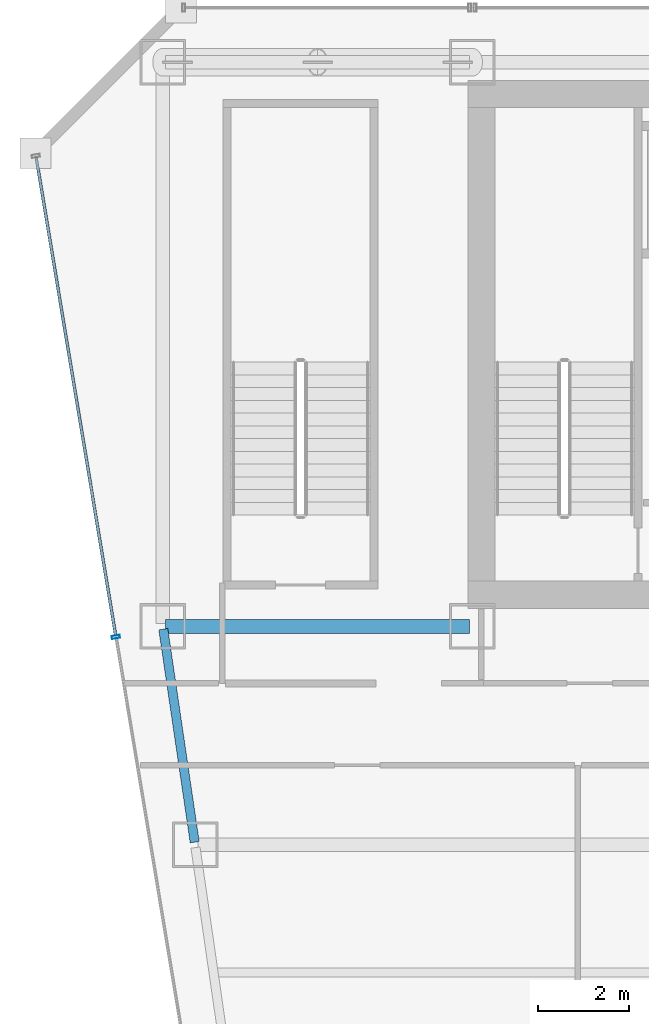
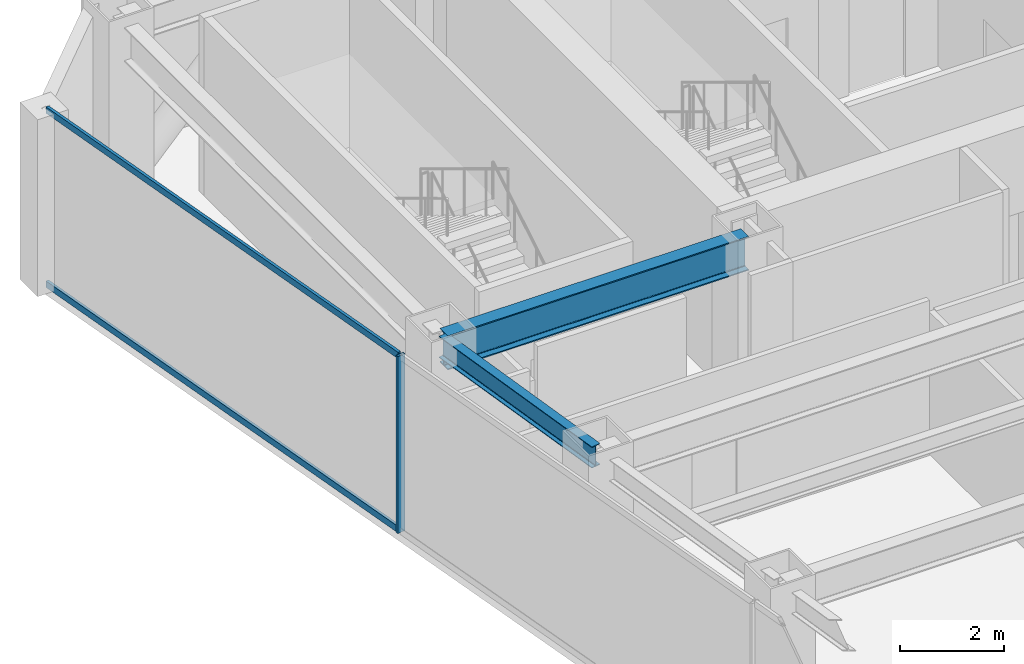
# One storey, part 20 of 37: 3 members, 2 beams, 1 element without a shape of its own.
"""IFC4 building model written with IfcOpenShell, lengths in metres."""

from ifc_helpers import new_model, si_unit, direction, frame, origin, origin_2d, place, context, subcontext, project, spatial, hollow_rectangle, i_section, extrude, material, material_profile, profile_set, type_object, element, aggregate, save


model = new_model("IFC4")

# Units and contexts
model_context = context("Model", 3, precision=1e-05, world=origin(), true_north=direction((0.0, 1.0)))
body_context = subcontext(model_context, "Body", "Model", "MODEL_VIEW")
ifc_project = project(units=[si_unit("LENGTHUNIT", "METRE"), si_unit("AREAUNIT", "SQUARE_METRE"), si_unit("VOLUMEUNIT", "CUBIC_METRE"), si_unit("PLANEANGLEUNIT", "RADIAN"), si_unit("MASSUNIT", "GRAM", prefix="KILO")], contexts=[model_context])

# Site, building, storey
site_placement = place(None, origin())
site = spatial("IfcSite", under=ifc_project, at=site_placement, CompositionType="ELEMENT")
building_placement = place(site_placement, origin())
building = spatial("IfcBuilding", under=site, at=building_placement, Name="Saevonmaru Cultural Tower", CompositionType="ELEMENT")
storey_placement = place(building_placement, frame((0.0, 0.0, 106.0)))
storey = spatial("IfcBuildingStorey", under=building, at=storey_placement, Name="L22", CompositionType="ELEMENT", Elevation=106.0)

# Beams
ifc_material_1 = material(Name="Steel SM420", Category="steel")
ifc_material_profile_1 = material_profile(ifc_material_1, i_section(OverallWidth=0.300048828125, OverallDepth=0.800048828125, WebThickness=0.013916015625, FlangeThickness=0.02587890625, FilletRadius=0.028076171875, at=origin_2d()), Name="H-800x300x14x26")
ifc_profile_set_1 = profile_set([ifc_material_profile_1], Name="Steel SM420")
beam_type_1 = type_object("IfcBeamType", Name="BM-G-H800", PredefinedType="BEAM", material=ifc_profile_set_1)
beam_1_placement = place(storey_placement, frame((6.860107421875, 42.39990234375, 3.75), z_axis=(1.0, 0.0, 0.0), x_axis=(0.0, 1.0, 0.0)))
element("IfcBeam", 1, at=beam_1_placement, inside=storey, type_object=beam_type_1, Name="L22 Core South Girder 1", PredefinedType="BEAM", context=body_context, shape_type="SweptSolid", body=[
    extrude(i_section(OverallWidth=0.300048828125, OverallDepth=0.800048828125, WebThickness=0.013916015625, FlangeThickness=0.02587890625, FilletRadius=0.028076171875, at=origin_2d()), origin(), (0.0, 0.0, 1.0), 6.679931640625),
])
ifc_material_2 = material(Name="Steel SM355", Category="steel")
ifc_material_profile_2 = material_profile(ifc_material_2, i_section(OverallWidth=0.199951171875, OverallDepth=0.5, WebThickness=0.010009765625, FlangeThickness=0.01611328125, FilletRadius=0.02001953125, at=origin_2d()), Name="H-500x200x10x16")
ifc_profile_set_2 = profile_set([ifc_material_profile_2], Name="Steel SM355")
beam_type_2 = type_object("IfcBeamType", Name="BM-SP-H500", PredefinedType="SPANDREL", material=ifc_profile_set_2)
beam_2_placement = place(storey_placement, frame((7.499267578125, 37.659423828125, 3.89990234375), z_axis=(-0.145912860028, 0.989297446312, 0.0), x_axis=(-0.989297446312, -0.145912860028, 0.0)))
element("IfcBeam", 2, at=beam_2_placement, inside=storey, type_object=beam_type_2, Name="L22 West Splayed Spandrel 5", PredefinedType="SPANDREL", context=body_context, shape_type="SweptSolid", body=[
    extrude(i_section(OverallWidth=0.199951171875, OverallDepth=0.5, WebThickness=0.010009765625, FlangeThickness=0.01611328125, FilletRadius=0.02001953125, at=origin_2d()), origin(), (0.0, 0.0, 1.0), 4.731689453125),
])

# Curtain wall, members
ifc_material_3 = material(Name="Satin Bronze Anodised Aluminium", Category="aluminium")
curtain_wall_type = type_object("IfcCurtainWallType", Name="CW-TYP-A", PredefinedType="NOTDEFINED", material=ifc_material_3)
curtain_wall_placement = place(storey_placement, origin())
curtain_wall = element("IfcCurtainWall", 3, at=curtain_wall_placement, inside=storey, type_object=curtain_wall_type, Name="L22 Unitised Curtain Wall E12", PredefinedType="NOTDEFINED")
ifc_material_profile_3 = material_profile(ifc_material_3, hollow_rectangle(XDim=0.06494140625, YDim=0.179931640625, WallThickness=0.00390625, at=origin_2d()), Name="ALU-MULL-180x65x4")
ifc_profile_set_3 = profile_set([ifc_material_profile_3], Name="Satin Bronze Anodised Aluminium")
member_type_1 = type_object("IfcMemberType", Name="ML-CW-180x65", PredefinedType="MULLION", material=ifc_profile_set_3)
member_1_placement = place(storey_placement, frame((5.76708984375, 42.17041015625, 0.0), z_axis=(0.0, 0.0, 1.0), x_axis=(0.163998702345, -0.986460554523, 0.0)))
member_1 = element("IfcMember", 4, at=member_1_placement, type_object=member_type_1, Name="CW-TW-L22-E12 mullion 2", PredefinedType="MULLION", context=body_context, shape_type="SweptSolid", body=[
    extrude(hollow_rectangle(XDim=0.06494140625, YDim=0.179931640625, WallThickness=0.00390625, at=origin_2d()), origin(), (0.0, 0.0, 1.0), 4.14990234375),
])
ifc_material_profile_4 = material_profile(ifc_material_3, hollow_rectangle(XDim=0.06494140625, YDim=0.14990234375, WallThickness=0.00390625, at=origin_2d()), Name="ALU-TRAN-150x65x4")
ifc_profile_set_4 = profile_set([ifc_material_profile_4], Name="Satin Bronze Anodised Aluminium")
member_type_2 = type_object("IfcMemberType", Name="TR-CW-150x65", PredefinedType="USERDEFINED", material=ifc_profile_set_4)
member_2_placement = place(storey_placement, frame((4.01513671875, 52.708740234375, 0.032470703125), z_axis=(0.163990079074, -0.9864619881, 0.0), x_axis=(0.9864619881, 0.163990079074, 0.0)))
member_2 = element("IfcMember", 5, at=member_2_placement, type_object=member_type_2, Name="CW-TW-L22-E12 transom 1.1", ObjectType="TRANSOM", PredefinedType="USERDEFINED", context=body_context, shape_type="SweptSolid", body=[
    extrude(hollow_rectangle(XDim=0.06494140625, YDim=0.14990234375, WallThickness=0.00390625, at=origin_2d()), origin(), (0.0, 0.0, 1.0), 10.650634765625),
])
member_3_placement = place(storey_placement, frame((4.01513671875, 52.708740234375, 4.117431640625), z_axis=(0.163990079074, -0.9864619881, 0.0), x_axis=(0.9864619881, 0.163990079074, 0.0)))
member_3 = element("IfcMember", 6, at=member_3_placement, type_object=member_type_2, Name="CW-TW-L22-E12 transom 1.2", ObjectType="TRANSOM", PredefinedType="USERDEFINED", context=body_context, shape_type="SweptSolid", body=[
    extrude(hollow_rectangle(XDim=0.06494140625, YDim=0.14990234375, WallThickness=0.00390625, at=origin_2d()), origin(), (0.0, 0.0, 1.0), 10.650634765625),
])
aggregate(curtain_wall, [member_1, member_2, member_3])

save(model, "model.ifc")
